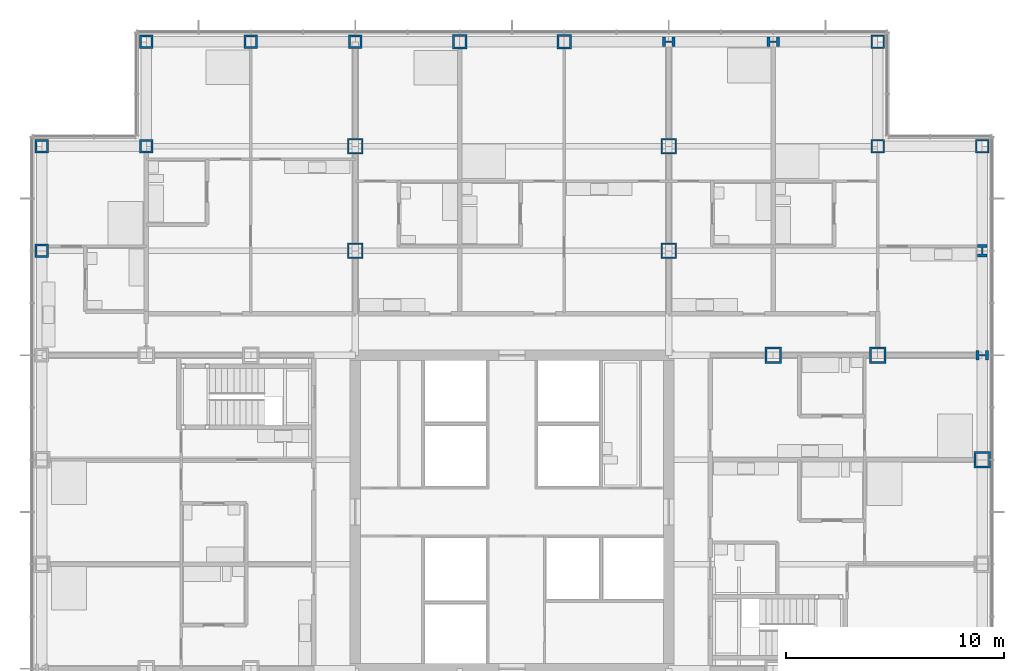
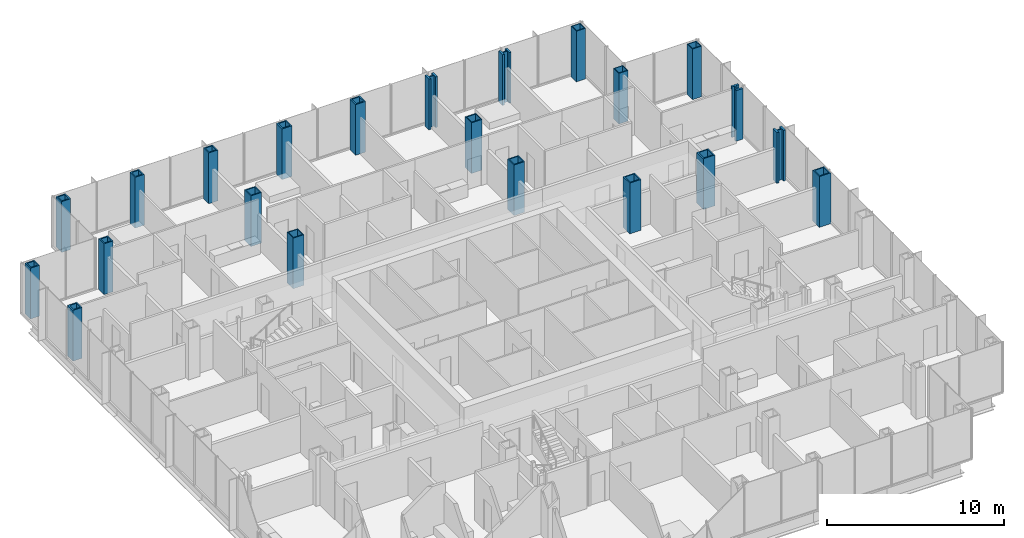
# One storey, part 5 of 21: 22 columns.
"""IFC4 building model written with IfcOpenShell, lengths in metres."""

from ifc_helpers import new_model, si_unit, direction, frame, origin, origin_2d, place, context, subcontext, project, spatial, hollow_rectangle, i_section, extrude, material, material_profile, profile_set, type_object, element, save


model = new_model("IFC4")

# Units and contexts
model_context = context("Model", 3, precision=1e-05, world=origin(), true_north=direction((0.0, 1.0)))
body_context = subcontext(model_context, "Body", "Model", "MODEL_VIEW")
ifc_project = project(units=[si_unit("LENGTHUNIT", "METRE"), si_unit("AREAUNIT", "SQUARE_METRE"), si_unit("VOLUMEUNIT", "CUBIC_METRE"), si_unit("PLANEANGLEUNIT", "RADIAN"), si_unit("MASSUNIT", "GRAM", prefix="KILO")], contexts=[model_context])

# Site, building, storey
site_placement = place(None, origin())
site = spatial("IfcSite", under=ifc_project, at=site_placement, CompositionType="ELEMENT")
building_placement = place(site_placement, origin())
building = spatial("IfcBuilding", under=site, at=building_placement, Name="Kvirike Care Tower", CompositionType="ELEMENT")
storey_placement = place(building_placement, frame((0.0, 0.0, 27.0)))
storey = spatial("IfcBuildingStorey", under=building, at=storey_placement, Name="L06", CompositionType="ELEMENT", Elevation=27.0)

# Columns
ifc_material_1 = material(Name="Steel S460", Category="steel")
ifc_material_profile_1 = material_profile(ifc_material_1, hollow_rectangle(XDim=0.60009765625, YDim=0.60009765625, WallThickness=0.050048828125, at=origin_2d()), Name="BX 600x600x50")
ifc_profile_set_1 = profile_set([ifc_material_profile_1], Name="Steel S460")
column_type_1 = type_object("IfcColumnType", Name="COLUMN BX 600x600x50", PredefinedType="COLUMN", material=ifc_profile_set_1)
for number, where, z_axis, x_axis, name in (
    (1, (38.39990234375, 52.800048828125, 0.0), (0.0, 0.0, 1.0), (0.0, 1.0, 0.0), "Column M11 L06"),
    (2, (38.39990234375, 57.60009765625, 0.0), (0.0, 0.0, 1.0), (0.0, 1.0, 0.0), "Column N11 L06"),
    (3, (43.199951171875, 52.800048828125, 0.0), (0.0, 0.0, 1.0), (0.0, 1.0, 0.0), "Column M12 L06"),
):
    element("IfcColumn", number, at=place(storey_placement, frame(where, z_axis=z_axis, x_axis=x_axis)), inside=storey, type_object=column_type_1, Name=name, PredefinedType="COLUMN", context=body_context, shape_type="SweptSolid", body=[
        extrude(hollow_rectangle(XDim=0.60009765625, YDim=0.60009765625, WallThickness=0.050048828125, at=origin_2d()), origin(), (0.0, 0.0, 1.0), 3.5),
    ])
ifc_material_2 = material(Name="Steel S460", Category="steel")
ifc_material_profile_2 = material_profile(ifc_material_2, hollow_rectangle(XDim=0.60009765625, YDim=0.60009765625, WallThickness=0.080078125, at=origin_2d()), Name="BX 600x600x80")
ifc_profile_set_2 = profile_set([ifc_material_profile_2], Name="Steel S460")
column_type_2 = type_object("IfcColumnType", Name="COLUMN BX 600x600x80", PredefinedType="COLUMN", material=ifc_profile_set_2)
for number, where, z_axis, x_axis, name in (
    (4, (0.0, 48.0, 0.0), (0.0, 0.0, 1.0), (1.0, 0.0, 0.0), "Column L3 L06"),
    (5, (0.0, 52.800048828125, 0.0), (0.0, 0.0, 1.0), (0.0, 1.0, 0.0), "Column M3 L06"),
    (6, (4.800048828125, 52.800048828125, 0.0), (0.0, 0.0, 1.0), (0.0, 1.0, 0.0), "Column M4 L06"),
    (7, (4.800048828125, 57.60009765625, 0.0), (0.0, 0.0, 1.0), (0.0, 1.0, 0.0), "Column N4 L06"),
    (8, (9.60009765625, 57.60009765625, 0.0), (0.0, 0.0, 1.0), (0.0, 1.0, 0.0), "Column N5 L06"),
    (9, (14.39990234375, 57.60009765625, 0.0), (0.0, 0.0, 1.0), (0.0, 1.0, 0.0), "Column N6 L06"),
):
    element("IfcColumn", number, at=place(storey_placement, frame(where, z_axis=z_axis, x_axis=x_axis)), inside=storey, type_object=column_type_2, Name=name, PredefinedType="COLUMN", context=body_context, shape_type="SweptSolid", body=[
        extrude(hollow_rectangle(XDim=0.60009765625, YDim=0.60009765625, WallThickness=0.080078125, at=origin_2d()), origin(), (0.0, 0.0, 1.0), 3.5),
    ])
ifc_material_3 = material(Name="Steel S460", Category="steel")
ifc_material_profile_3 = material_profile(ifc_material_3, hollow_rectangle(XDim=0.64990234375, YDim=0.64990234375, WallThickness=0.080078125, at=origin_2d()), Name="BX 650x650x80")
ifc_profile_set_3 = profile_set([ifc_material_profile_3], Name="Steel S460")
column_type_3 = type_object("IfcColumnType", Name="COLUMN BX 650x650x80", PredefinedType="COLUMN", material=ifc_profile_set_3)
for number, where, z_axis, x_axis, name in (
    (10, (19.199951171875, 57.60009765625, 0.0), (0.0, 0.0, 1.0), (0.0, 1.0, 0.0), "Column N7 L06"),
    (11, (24.0, 57.60009765625, 0.0), (0.0, 0.0, 1.0), (0.0, 1.0, 0.0), "Column N8 L06"),
):
    element("IfcColumn", number, at=place(storey_placement, frame(where, z_axis=z_axis, x_axis=x_axis)), inside=storey, type_object=column_type_3, Name=name, PredefinedType="COLUMN", context=body_context, shape_type="SweptSolid", body=[
        extrude(hollow_rectangle(XDim=0.64990234375, YDim=0.64990234375, WallThickness=0.080078125, at=origin_2d()), origin(), (0.0, 0.0, 1.0), 3.5),
    ])
ifc_material_4 = material(Name="Steel S460", Category="steel")
ifc_material_profile_4 = material_profile(ifc_material_4, hollow_rectangle(XDim=0.699951171875, YDim=0.699951171875, WallThickness=0.06005859375, at=origin_2d()), Name="BX 700x700x60")
ifc_profile_set_4 = profile_set([ifc_material_profile_4], Name="Steel S460")
column_type_4 = type_object("IfcColumnType", Name="COLUMN BX 700x700x60", PredefinedType="COLUMN", material=ifc_profile_set_4)
for number, where, z_axis, x_axis, name in (
    (12, (14.39990234375, 48.0, 0.0), (0.0, 0.0, 1.0), (1.0, 0.0, 0.0), "Column L6 L06"),
    (13, (14.39990234375, 52.800048828125, 0.0), (0.0, 0.0, 1.0), (1.0, 0.0, 0.0), "Column M6 L06"),
    (14, (28.800048828125, 48.0, 0.0), (0.0, 0.0, 1.0), (1.0, 0.0, 0.0), "Column L9 L06"),
    (15, (28.800048828125, 52.800048828125, 0.0), (0.0, 0.0, 1.0), (1.0, 0.0, 0.0), "Column M9 L06"),
):
    element("IfcColumn", number, at=place(storey_placement, frame(where, z_axis=z_axis, x_axis=x_axis)), inside=storey, type_object=column_type_4, Name=name, PredefinedType="COLUMN", context=body_context, shape_type="SweptSolid", body=[
        extrude(hollow_rectangle(XDim=0.699951171875, YDim=0.699951171875, WallThickness=0.06005859375, at=origin_2d()), origin(), (0.0, 0.0, 1.0), 3.5),
    ])
ifc_material_5 = material(Name="Steel S460", Category="steel")
ifc_material_profile_5 = material_profile(ifc_material_5, hollow_rectangle(XDim=0.75, YDim=0.75, WallThickness=0.080078125, at=origin_2d()), Name="BX 750x750x80")
ifc_profile_set_5 = profile_set([ifc_material_profile_5], Name="Steel S460")
column_type_5 = type_object("IfcColumnType", Name="COLUMN BX 750x750x80", PredefinedType="COLUMN", material=ifc_profile_set_5)
for number, where, z_axis, x_axis, name in (
    (16, (33.60009765625, 43.199951171875, 0.0), (0.0, 0.0, 1.0), (0.0, 1.0, 0.0), "Column K10 L06"),
    (17, (38.39990234375, 43.199951171875, 0.0), (0.0, 0.0, 1.0), (0.0, 1.0, 0.0), "Column K11 L06"),
    (18, (43.199951171875, 38.39990234375, 0.0), (0.0, 0.0, 1.0), (1.0, 0.0, 0.0), "Column J12 L06"),
):
    element("IfcColumn", number, at=place(storey_placement, frame(where, z_axis=z_axis, x_axis=x_axis)), inside=storey, type_object=column_type_5, Name=name, PredefinedType="COLUMN", context=body_context, shape_type="SweptSolid", body=[
        extrude(hollow_rectangle(XDim=0.75, YDim=0.75, WallThickness=0.080078125, at=origin_2d()), origin(), (0.0, 0.0, 1.0), 3.5),
    ])
ifc_material_6 = material(Name="Steel S460", Category="steel")
ifc_material_profile_6 = material_profile(ifc_material_6, i_section(OverallWidth=0.4541015625, OverallDepth=0.569091796875, WebThickness=0.077880859375, FlangeThickness=0.125, FilletRadius=0.014892578125, at=origin_2d()), Name="HD 400x1086")
ifc_profile_set_6 = profile_set([ifc_material_profile_6], Name="Steel S460")
column_type_6 = type_object("IfcColumnType", Name="COLUMN HD 400x1086", PredefinedType="COLUMN", material=ifc_profile_set_6)
for number, where, z_axis, x_axis, name in (
    (19, (28.800048828125, 57.60009765625, 0.0), (0.0, 0.0, 1.0), (0.0, 1.0, 0.0), "Column N9 L06"),
    (20, (33.60009765625, 57.60009765625, 0.0), (0.0, 0.0, 1.0), (0.0, 1.0, 0.0), "Column N10 L06"),
    (21, (43.199951171875, 43.199951171875, 0.0), (0.0, 0.0, 1.0), (0.0, 1.0, 0.0), "Column K12 L06"),
    (22, (43.199951171875, 48.0, 0.0), (0.0, 0.0, 1.0), (1.0, 0.0, 0.0), "Column L12 L06"),
):
    element("IfcColumn", number, at=place(storey_placement, frame(where, z_axis=z_axis, x_axis=x_axis)), inside=storey, type_object=column_type_6, Name=name, PredefinedType="COLUMN", context=body_context, shape_type="SweptSolid", body=[
        extrude(i_section(OverallWidth=0.4541015625, OverallDepth=0.569091796875, WebThickness=0.077880859375, FlangeThickness=0.125, FilletRadius=0.014892578125, at=origin_2d()), origin(), (0.0, 0.0, 1.0), 3.5),
    ])

save(model, "model.ifc")
